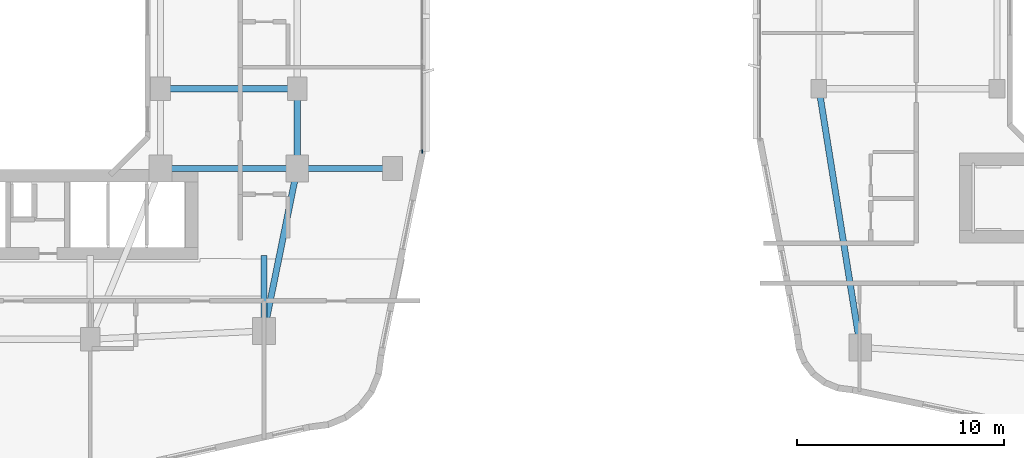
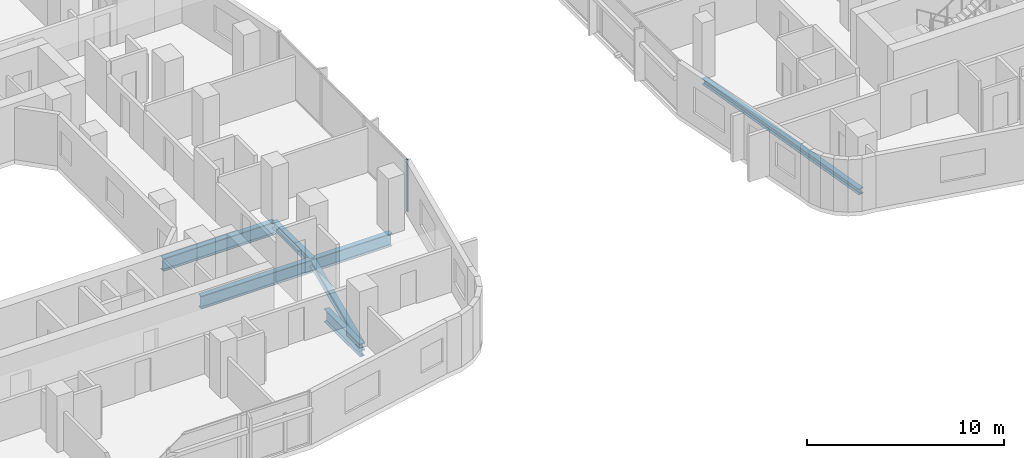
# One storey, part 4 of 27: 7 beams, 1 member, 1 element without a shape of its own.
"""IFC4 building model written with IfcOpenShell, lengths in metres."""

from ifc_helpers import new_model, si_unit, derived_unit, direction, frame, origin, origin_2d, place, context, subcontext, project, spatial, rectangle, i_section, extrude, material, layer, layer_set, material_profile, profile_set, type_object, element, aggregate, save


model = new_model("IFC4")

# Units and contexts
model_context = context("Model", 3, precision=1e-05, world=origin(), true_north=direction((0.0, 1.0)))
body_context = subcontext(model_context, "Body", "Model", "MODEL_VIEW")
ifc_project = project(units=[si_unit("LENGTHUNIT", "METRE"), si_unit("AREAUNIT", "SQUARE_METRE"), si_unit("VOLUMEUNIT", "CUBIC_METRE"), si_unit("PLANEANGLEUNIT", "RADIAN"), si_unit("MASSUNIT", "GRAM", prefix="KILO"), derived_unit("THERMALTRANSMITTANCEUNIT", [(si_unit("POWERUNIT", "WATT"), 1), (si_unit("LENGTHUNIT", "METRE"), -2), (si_unit("THERMODYNAMICTEMPERATUREUNIT", "KELVIN"), -1)])], contexts=[model_context])

# Site, building, storey
site_placement = place(None, origin())
site = spatial("IfcSite", under=ifc_project, at=site_placement, CompositionType="ELEMENT")
building_placement = place(site_placement, origin())
building = spatial("IfcBuilding", under=site, at=building_placement, Name="Kivonza Crest Hotel", CompositionType="ELEMENT")
storey_placement = place(building_placement, frame((0.0, 0.0, 31.0)))
storey = spatial("IfcBuildingStorey", under=building, at=storey_placement, Name="L07", CompositionType="ELEMENT", Elevation=31.0)

# Beams
ifc_material_1 = material(Name="Steel S355", Category="steel")
ifc_material_profile_1 = material_profile(ifc_material_1, i_section(OverallWidth=0.300048828125, OverallDepth=0.360107421875, WebThickness=0.012451171875, FlangeThickness=0.0224609375, FilletRadius=0.027099609375, at=origin_2d()), Name="HEB 360")
ifc_profile_set_1 = profile_set([ifc_material_profile_1], Name="Steel S355")
beam_type_1 = type_object("IfcBeamType", Name="BM-HEB360", PredefinedType="SPANDREL", material=ifc_profile_set_1)
beam_1_placement = place(storey_placement, frame((61.0, 21.5, -0.429931640625), z_axis=(0.157990501107, -0.987440631917, 0.0), x_axis=(0.987440631917, 0.157990501107, 0.0)))
element("IfcBeam", 1, at=beam_1_placement, inside=storey, type_object=beam_type_1, Name="Companion Tower T2 L07 perimeter spandrel W1-SW", PredefinedType="SPANDREL", context=body_context, shape_type="SweptSolid", body=[
    extrude(i_section(OverallWidth=0.300048828125, OverallDepth=0.360107421875, WebThickness=0.012451171875, FlangeThickness=0.0224609375, FilletRadius=0.027099609375, at=origin_2d()), origin(), (0.0, 0.0, 1.0), 12.658935546875),
])
ifc_material_profile_2 = material_profile(ifc_material_1, i_section(OverallWidth=0.300048828125, OverallDepth=0.449951171875, WebThickness=0.013916015625, FlangeThickness=0.02587890625, FilletRadius=0.027099609375, at=origin_2d()), Name="HEB 450")
ifc_profile_set_2 = profile_set([ifc_material_profile_2], Name="Steel S355")
beam_type_2 = type_object("IfcBeamType", Name="BM-HEB450", PredefinedType="SPANDREL", material=ifc_profile_set_2)
beam_2_placement = place(storey_placement, frame((34.199951171875, 9.800048828125, -0.5048828125), z_axis=(0.199730733965, 0.979850822273, 0.0), x_axis=(-0.979850822273, 0.199730733965, 0.0)))
element("IfcBeam", 2, at=beam_2_placement, inside=storey, type_object=beam_type_2, Name="Tower T1 L07 perimeter spandrel SE-PSE", PredefinedType="SPANDREL", context=body_context, shape_type="SweptSolid", body=[
    extrude(i_section(OverallWidth=0.300048828125, OverallDepth=0.449951171875, WebThickness=0.013916015625, FlangeThickness=0.02587890625, FilletRadius=0.027099609375, at=origin_2d()), origin(), (0.0, 0.0, 1.0), 8.01123046875),
])
beam_3_placement = place(storey_placement, frame((35.800048828125, 17.64990234375, -0.5048828125), z_axis=(0.0, 1.0, 0.0), x_axis=(-1.0, 0.0, 0.0)))
element("IfcBeam", 3, at=beam_3_placement, inside=storey, type_object=beam_type_2, Name="Tower T1 L07 perimeter spandrel PSE-E1", PredefinedType="SPANDREL", context=body_context, shape_type="SweptSolid", body=[
    extrude(i_section(OverallWidth=0.300048828125, OverallDepth=0.449951171875, WebThickness=0.013916015625, FlangeThickness=0.02587890625, FilletRadius=0.027099609375, at=origin_2d()), origin(), (0.0, 0.0, 1.0), 3.85009765625),
])
ifc_material_profile_3 = material_profile(ifc_material_1, i_section(OverallWidth=0.300048828125, OverallDepth=0.800048828125, WebThickness=0.017578125, FlangeThickness=0.032958984375, FilletRadius=0.030029296875, at=origin_2d()), Name="HEB 800")
ifc_profile_set_3 = profile_set([ifc_material_profile_3], Name="Steel S355")
beam_type_3 = type_object("IfcBeamType", Name="BM-HEB800", PredefinedType="BEAM", material=ifc_profile_set_3)
for number, where, z_axis, x_axis, name in (
    (4, (29.199951171875, 17.64990234375, -0.679931640625), (1.0, 0.0, 0.0), (0.0, 1.0, 0.0), "Tower T1 L07 primary girder TSE-PSE"),
    (5, (29.199951171875, 21.5, -0.679931640625), (1.0, 0.0, 0.0), (0.0, 1.0, 0.0), "Tower T1 L07 primary girder WR1-E1"),
):
    element("IfcBeam", number, at=place(storey_placement, frame(where, z_axis=z_axis, x_axis=x_axis)), inside=storey, type_object=beam_type_3, Name=name, PredefinedType="BEAM", context=body_context, shape_type="SweptSolid", body=[
        extrude(i_section(OverallWidth=0.300048828125, OverallDepth=0.800048828125, WebThickness=0.017578125, FlangeThickness=0.032958984375, FilletRadius=0.030029296875, at=origin_2d()), origin(), (0.0, 0.0, 1.0), 6.60009765625),
    ])
beam_4_placement = place(storey_placement, frame((40.39990234375, 17.64990234375, -0.679931640625), z_axis=(-1.0, 0.0, 0.0), x_axis=(0.0, -1.0, 0.0)))
element("IfcBeam", 6, at=beam_4_placement, inside=storey, type_object=beam_type_3, Name="Tower T1 L07 outer bay girder ZE1", PredefinedType="BEAM", context=body_context, shape_type="SweptSolid", body=[
    extrude(i_section(OverallWidth=0.300048828125, OverallDepth=0.800048828125, WebThickness=0.017578125, FlangeThickness=0.032958984375, FilletRadius=0.030029296875, at=origin_2d()), origin(), (0.0, 0.0, 1.0), 4.599853515625),
])
beam_5_placement = place(storey_placement, frame((34.199951171875, 9.800048828125, -0.679931640625), z_axis=(0.0, 1.0, 0.0), x_axis=(-1.0, 0.0, 0.0)))
element("IfcBeam", 7, at=beam_5_placement, inside=storey, type_object=beam_type_3, Name="Tower T1 L07 radial core girder RSE", PredefinedType="BEAM", context=body_context, shape_type="SweptSolid", body=[
    extrude(i_section(OverallWidth=0.300048828125, OverallDepth=0.800048828125, WebThickness=0.017578125, FlangeThickness=0.032958984375, FilletRadius=0.030029296875, at=origin_2d()), origin(), (0.0, 0.0, 1.0), 3.64990234375),
])

# Curtain wall, member
ifc_material_2 = material(Name="Anodised bronze aluminium and low-E double glazing", Category="aluminium")
ifc_layer = layer(ifc_material_2, 0.179931640625)
ifc_layer_set = layer_set([ifc_layer], Name="Anodised bronze aluminium and low-E double glazing")
curtain_wall_type = type_object("IfcCurtainWallType", Name="CW-SYS-2", PredefinedType="NOTDEFINED", material=ifc_layer_set)
curtain_wall_placement = place(storey_placement, origin())
curtain_wall = element("IfcCurtainWall", 8, at=curtain_wall_placement, inside=storey, type_object=curtain_wall_type, Name="L07 unitised curtain wall CW-T1-L07-17", PredefinedType="NOTDEFINED")
ifc_material_3 = material(Name="Anodised bronze aluminium", Category="aluminium")
ifc_material_profile_4 = material_profile(ifc_material_3, rectangle(XDim=0.06494140625, YDim=0.179931640625, at=origin_2d()), Name="CW-M 65x180")
ifc_profile_set_4 = profile_set([ifc_material_profile_4], Name="Anodised bronze aluminium")
member_type = type_object("IfcMemberType", Name="CW-MUL-65x180", PredefinedType="MULLION", material=ifc_profile_set_4)
member_placement = place(storey_placement, frame((41.840087890625, 18.472412109375, 0.0), z_axis=(0.0, 0.0, 1.0), x_axis=(-1.0, 0.0, 0.0)))
member = element("IfcMember", 9, at=member_placement, type_object=member_type, Name="CW-2 mullion 1", PredefinedType="MULLION", context=body_context, shape_type="SweptSolid", body=[
    extrude(rectangle(XDim=0.06494140625, YDim=0.179931640625, at=origin_2d()), origin(), (0.0, 0.0, 1.0), 3.219970703125),
])
aggregate(curtain_wall, [member])

save(model, "model.ifc")
